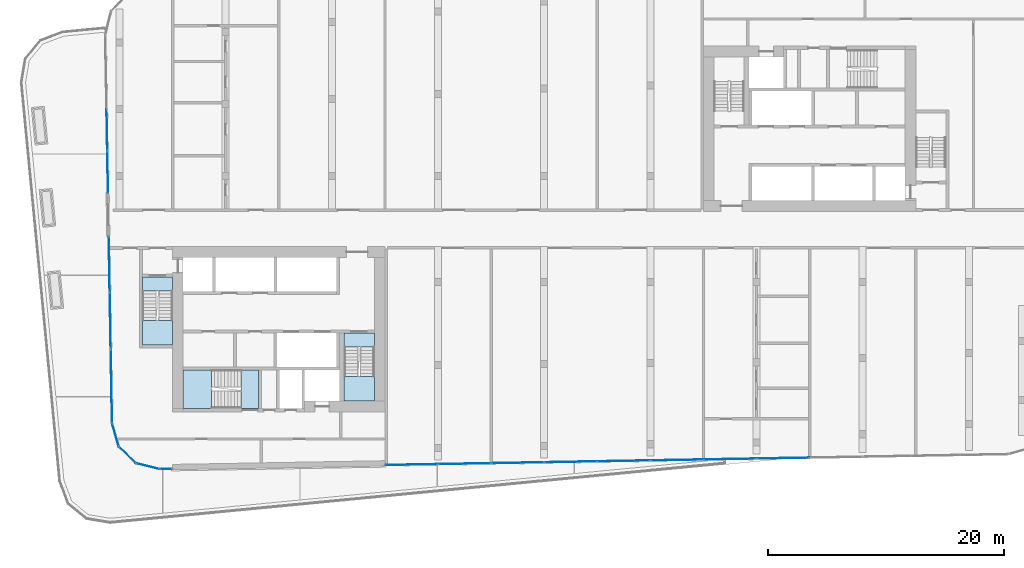
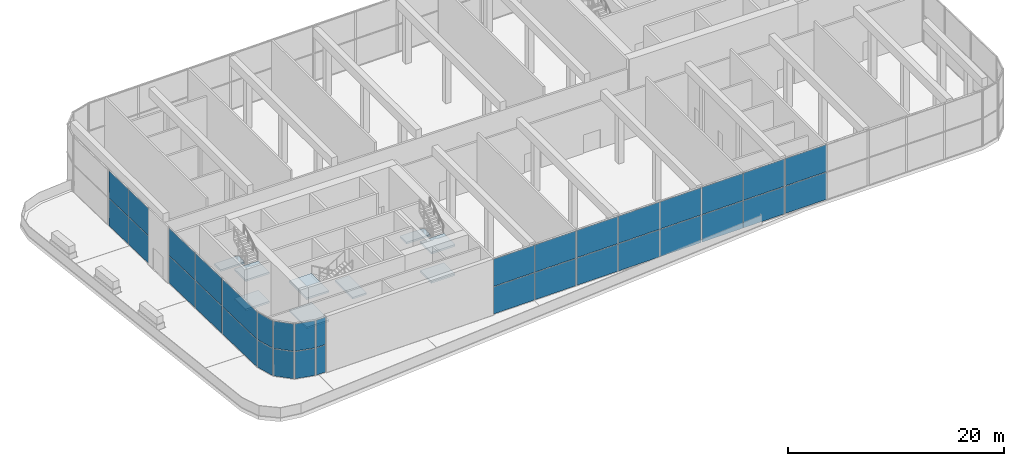
# One storey, part 9 of 24: 34 plates, 9 slabs, 14 elements without a shape of their own.
"""IFC4 building model written with IfcOpenShell, lengths in metres."""

from ifc_helpers import new_model, si_unit, direction, frame, origin, origin_2d, place, context, subcontext, project, spatial, polyline, rectangle, outline, extrude, material, layer, layer_set, type_object, element, aggregate, save


model = new_model("IFC4")

# Units and contexts
model_context = context("Model", 3, precision=1e-05, world=origin(), true_north=direction((0.0, 1.0)))
body_context = subcontext(model_context, "Body", "Model", "MODEL_VIEW")
ifc_project = project(units=[si_unit("LENGTHUNIT", "METRE"), si_unit("AREAUNIT", "SQUARE_METRE"), si_unit("VOLUMEUNIT", "CUBIC_METRE"), si_unit("PLANEANGLEUNIT", "RADIAN"), si_unit("MASSUNIT", "GRAM", prefix="KILO")], contexts=[model_context])

# Site, building, storey
site_placement = place(None, origin())
site = spatial("IfcSite", under=ifc_project, at=site_placement, CompositionType="ELEMENT")
building_placement = place(site_placement, origin())
building = spatial("IfcBuilding", under=site, at=building_placement, Name="Kajstack Hotel Tower", CompositionType="ELEMENT")
storey_placement = place(building_placement, frame((0.0, 0.0, 211.10009765625)))
storey = spatial("IfcBuildingStorey", under=building, at=storey_placement, Name="L51", CompositionType="ELEMENT", Elevation=211.10009765625)

# Curtain wall, plates
ifc_material_1 = material(Name="Aluminium-framed curtain wall, low-iron insulated glass", Category="aluminium")
curtain_wall_type = type_object("IfcCurtainWallType", Name="CW-GARDEN", PredefinedType="NOTDEFINED", material=ifc_material_1)
curtain_wall_1_placement = place(storey_placement, origin())
curtain_wall_1 = element("IfcCurtainWall", 1, at=curtain_wall_1_placement, inside=storey, type_object=curtain_wall_type, Name="Curtain wall CU6 L51-00-00-1", PredefinedType="NOTDEFINED")
ifc_material_2 = material(Name="Low-iron insulated glass", Category="glass")
ifc_layer_1 = layer(ifc_material_2, 0.0400390625)
ifc_layer_set_1 = layer_set([ifc_layer_1], Name="CW-P-GARDEN")
plate_type = type_object("IfcPlateType", Name="CW-P-GARDEN", PredefinedType="CURTAIN_PANEL", material=ifc_layer_set_1)
plate_1_placement = place(storey_placement, frame((-37.065185546875, 8.38623046875, 0.06005859375), z_axis=(0.0, 0.0, 1.0), x_axis=(0.017454611534, -0.999847656664, 0.0)))
plate_1 = element("IfcPlate", 2, at=plate_1_placement, type_object=plate_type, Name="CU6 panel 1.1", PredefinedType="CURTAIN_PANEL", context=body_context, shape_type="SweptSolid", body=[
    extrude(rectangle(XDim=3.5107421875, YDim=0.0400390625, at=origin_2d()), origin(), (0.0, 0.0, 1.0), 3.070068359375),
])
plate_2_placement = place(storey_placement, frame((-37.065185546875, 8.38623046875, 3.18994140625), z_axis=(0.0, 0.0, 1.0), x_axis=(0.017454611534, -0.999847656664, 0.0)))
plate_2 = element("IfcPlate", 3, at=plate_2_placement, type_object=plate_type, Name="CU6 panel 1.2", PredefinedType="CURTAIN_PANEL", context=body_context, shape_type="SweptSolid", body=[
    extrude(rectangle(XDim=3.5107421875, YDim=0.0400390625, at=origin_2d()), origin(), (0.0, 0.0, 1.0), 3.070068359375),
])
plate_3_placement = place(storey_placement, frame((-37.0029296875, 4.816162109375, 0.06005859375), z_axis=(0.0, 0.0, 1.0), x_axis=(0.017454611534, -0.999847656664, 0.0)))
plate_3 = element("IfcPlate", 4, at=plate_3_placement, type_object=plate_type, Name="CU6 panel 2.1", PredefinedType="CURTAIN_PANEL", context=body_context, shape_type="SweptSolid", body=[
    extrude(rectangle(XDim=3.5107421875, YDim=0.0400390625, at=origin_2d()), origin(), (0.0, 0.0, 1.0), 3.070068359375),
])
plate_4_placement = place(storey_placement, frame((-37.0029296875, 4.816162109375, 3.18994140625), z_axis=(0.0, 0.0, 1.0), x_axis=(0.017454611534, -0.999847656664, 0.0)))
plate_4 = element("IfcPlate", 5, at=plate_4_placement, type_object=plate_type, Name="CU6 panel 2.2", PredefinedType="CURTAIN_PANEL", context=body_context, shape_type="SweptSolid", body=[
    extrude(rectangle(XDim=3.5107421875, YDim=0.0400390625, at=origin_2d()), origin(), (0.0, 0.0, 1.0), 3.070068359375),
])
aggregate(curtain_wall_1, [plate_1, plate_2, plate_3, plate_4])

curtain_wall_2_placement = place(storey_placement, origin())
curtain_wall_2 = element("IfcCurtainWall", 6, at=curtain_wall_2_placement, inside=storey, type_object=curtain_wall_type, Name="Curtain wall CU6 L51-00-02-0", PredefinedType="NOTDEFINED")
plate_5_placement = place(storey_placement, frame((-36.8662109375, -3.013427734375, 0.06005859375), z_axis=(0.0, 0.0, 1.0), x_axis=(0.017454525677, -0.999847658163, 0.0)))
plate_5 = element("IfcPlate", 7, at=plate_5_placement, type_object=plate_type, Name="CU6 panel 1.1", PredefinedType="CURTAIN_PANEL", context=body_context, shape_type="SweptSolid", body=[
    extrude(rectangle(XDim=4.7109375, YDim=0.0400390625, at=origin_2d()), origin(), (0.0, 0.0, 1.0), 3.070068359375),
])
plate_6_placement = place(storey_placement, frame((-36.8662109375, -3.013427734375, 3.18994140625), z_axis=(0.0, 0.0, 1.0), x_axis=(0.017454525677, -0.999847658163, 0.0)))
plate_6 = element("IfcPlate", 8, at=plate_6_placement, type_object=plate_type, Name="CU6 panel 1.2", PredefinedType="CURTAIN_PANEL", context=body_context, shape_type="SweptSolid", body=[
    extrude(rectangle(XDim=4.7109375, YDim=0.0400390625, at=origin_2d()), origin(), (0.0, 0.0, 1.0), 3.070068359375),
])
plate_7_placement = place(storey_placement, frame((-36.782958984375, -7.78369140625, 0.06005859375), z_axis=(0.0, 0.0, 1.0), x_axis=(0.017454525677, -0.999847658163, 0.0)))
plate_7 = element("IfcPlate", 9, at=plate_7_placement, type_object=plate_type, Name="CU6 panel 2.1", PredefinedType="CURTAIN_PANEL", context=body_context, shape_type="SweptSolid", body=[
    extrude(rectangle(XDim=4.7109375, YDim=0.0400390625, at=origin_2d()), origin(), (0.0, 0.0, 1.0), 3.070068359375),
])
plate_8_placement = place(storey_placement, frame((-36.782958984375, -7.78369140625, 3.18994140625), z_axis=(0.0, 0.0, 1.0), x_axis=(0.017454525677, -0.999847658163, 0.0)))
plate_8 = element("IfcPlate", 10, at=plate_8_placement, type_object=plate_type, Name="CU6 panel 2.2", PredefinedType="CURTAIN_PANEL", context=body_context, shape_type="SweptSolid", body=[
    extrude(rectangle(XDim=4.7109375, YDim=0.0400390625, at=origin_2d()), origin(), (0.0, 0.0, 1.0), 3.070068359375),
])
aggregate(curtain_wall_2, [plate_5, plate_6, plate_7, plate_8])

curtain_wall_3_placement = place(storey_placement, origin())
curtain_wall_3 = element("IfcCurtainWall", 11, at=curtain_wall_3_placement, inside=storey, type_object=curtain_wall_type, Name="Curtain wall CU6 L51-00-02-1", PredefinedType="NOTDEFINED")
plate_9_placement = place(storey_placement, frame((-36.685791015625, -13.346435546875, 0.06005859375), z_axis=(0.0, 0.0, 1.0), x_axis=(0.017454603141, -0.99984765681, 0.0)))
plate_9 = element("IfcPlate", 12, at=plate_9_placement, type_object=plate_type, Name="CU6 panel 1.1", PredefinedType="CURTAIN_PANEL", context=body_context, shape_type="SweptSolid", body=[
    extrude(rectangle(XDim=6.176513671875, YDim=0.0400390625, at=origin_2d()), origin(), (0.0, 0.0, 1.0), 3.070068359375),
])
plate_10_placement = place(storey_placement, frame((-36.685791015625, -13.346435546875, 3.18994140625), z_axis=(0.0, 0.0, 1.0), x_axis=(0.017454603141, -0.99984765681, 0.0)))
plate_10 = element("IfcPlate", 13, at=plate_10_placement, type_object=plate_type, Name="CU6 panel 1.2", PredefinedType="CURTAIN_PANEL", context=body_context, shape_type="SweptSolid", body=[
    extrude(rectangle(XDim=6.176513671875, YDim=0.0400390625, at=origin_2d()), origin(), (0.0, 0.0, 1.0), 3.070068359375),
])
aggregate(curtain_wall_3, [plate_9, plate_10])

curtain_wall_4_placement = place(storey_placement, origin())
curtain_wall_4 = element("IfcCurtainWall", 14, at=curtain_wall_4_placement, inside=storey, type_object=curtain_wall_type, Name="Curtain wall CU6 L51-01-00-0", PredefinedType="NOTDEFINED")
plate_11_placement = place(storey_placement, frame((-36.348388671875, -17.469970703125, 0.06005859375), z_axis=(0.0, 0.0, 1.0), x_axis=(0.275633186987, -0.961262891321, 0.0)))
plate_11 = element("IfcPlate", 15, at=plate_11_placement, type_object=plate_type, Name="CU6 panel 1.1", PredefinedType="CURTAIN_PANEL", context=body_context, shape_type="SweptSolid", body=[
    extrude(rectangle(XDim=1.950439453125, YDim=0.0400390625, at=origin_2d()), origin(), (0.0, 0.0, 1.0), 3.070068359375),
])
plate_12_placement = place(storey_placement, frame((-36.348388671875, -17.469970703125, 3.18994140625), z_axis=(0.0, 0.0, 1.0), x_axis=(0.275633186987, -0.961262891321, 0.0)))
plate_12 = element("IfcPlate", 16, at=plate_12_placement, type_object=plate_type, Name="CU6 panel 1.2", PredefinedType="CURTAIN_PANEL", context=body_context, shape_type="SweptSolid", body=[
    extrude(rectangle(XDim=1.950439453125, YDim=0.0400390625, at=origin_2d()), origin(), (0.0, 0.0, 1.0), 3.070068359375),
])
aggregate(curtain_wall_4, [plate_11, plate_12])

curtain_wall_5_placement = place(storey_placement, origin())
curtain_wall_5 = element("IfcCurtainWall", 17, at=curtain_wall_5_placement, inside=storey, type_object=curtain_wall_type, Name="Curtain wall CU6 L51-02-00-0", PredefinedType="NOTDEFINED")
plate_13_placement = place(storey_placement, frame((-35.33837890625, -19.151123046875, 0.06005859375), z_axis=(0.0, 0.0, 1.0), x_axis=(0.719314909283, -0.694684144978, 0.0)))
plate_13 = element("IfcPlate", 18, at=plate_13_placement, type_object=plate_type, Name="CU6 panel 1.1", PredefinedType="CURTAIN_PANEL", context=body_context, shape_type="SweptSolid", body=[
    extrude(rectangle(XDim=1.95068359375, YDim=0.0400390625, at=origin_2d()), origin(), (0.0, 0.0, 1.0), 3.070068359375),
])
plate_14_placement = place(storey_placement, frame((-35.33837890625, -19.151123046875, 3.18994140625), z_axis=(0.0, 0.0, 1.0), x_axis=(0.719314909283, -0.694684144978, 0.0)))
plate_14 = element("IfcPlate", 19, at=plate_14_placement, type_object=plate_type, Name="CU6 panel 1.2", PredefinedType="CURTAIN_PANEL", context=body_context, shape_type="SweptSolid", body=[
    extrude(rectangle(XDim=1.95068359375, YDim=0.0400390625, at=origin_2d()), origin(), (0.0, 0.0, 1.0), 3.070068359375),
])
aggregate(curtain_wall_5, [plate_13, plate_14])

curtain_wall_6_placement = place(storey_placement, origin())
curtain_wall_6 = element("IfcCurtainWall", 20, at=curtain_wall_6_placement, inside=storey, type_object=curtain_wall_type, Name="Curtain wall CU6 L51-03-00-0", PredefinedType="NOTDEFINED")
plate_15_placement = place(storey_placement, frame((-33.623046875, -20.10205078125, 0.06005859375), z_axis=(0.0, 0.0, 1.0), x_axis=(0.970298547949, -0.241910578206, 0.0)))
plate_15 = element("IfcPlate", 21, at=plate_15_placement, type_object=plate_type, Name="CU6 panel 1.1", PredefinedType="CURTAIN_PANEL", context=body_context, shape_type="SweptSolid", body=[
    extrude(rectangle(XDim=1.95068359375, YDim=0.0400390625, at=origin_2d()), origin(), (0.0, 0.0, 1.0), 3.070068359375),
])
plate_16_placement = place(storey_placement, frame((-33.623046875, -20.10205078125, 3.18994140625), z_axis=(0.0, 0.0, 1.0), x_axis=(0.970298547949, -0.241910578206, 0.0)))
plate_16 = element("IfcPlate", 22, at=plate_16_placement, type_object=plate_type, Name="CU6 panel 1.2", PredefinedType="CURTAIN_PANEL", context=body_context, shape_type="SweptSolid", body=[
    extrude(rectangle(XDim=1.95068359375, YDim=0.0400390625, at=origin_2d()), origin(), (0.0, 0.0, 1.0), 3.070068359375),
])
aggregate(curtain_wall_6, [plate_15, plate_16])

curtain_wall_7_placement = place(storey_placement, origin())
curtain_wall_7 = element("IfcCurtainWall", 23, at=curtain_wall_7_placement, inside=storey, type_object=curtain_wall_type, Name="Curtain wall CU6 L51-04-00-0", PredefinedType="NOTDEFINED")
plate_17_placement = place(storey_placement, frame((-32.069580078125, -20.34033203125, 0.06005859375), z_axis=(0.0, 0.0, 1.0), x_axis=(0.999847689418, 0.01745273519, 0.0)))
plate_17 = element("IfcPlate", 24, at=plate_17_placement, type_object=plate_type, Name="CU6 panel 1.1", PredefinedType="CURTAIN_PANEL", context=body_context, shape_type="SweptSolid", body=[
    extrude(rectangle(XDim=1.016845703125, YDim=0.0400390625, at=origin_2d()), origin(), (0.0, 0.0, 1.0), 3.070068359375),
])
plate_18_placement = place(storey_placement, frame((-32.069580078125, -20.34033203125, 3.18994140625), z_axis=(0.0, 0.0, 1.0), x_axis=(0.999847689418, 0.01745273519, 0.0)))
plate_18 = element("IfcPlate", 25, at=plate_18_placement, type_object=plate_type, Name="CU6 panel 1.2", PredefinedType="CURTAIN_PANEL", context=body_context, shape_type="SweptSolid", body=[
    extrude(rectangle(XDim=1.016845703125, YDim=0.0400390625, at=origin_2d()), origin(), (0.0, 0.0, 1.0), 3.070068359375),
])
aggregate(curtain_wall_7, [plate_17, plate_18])

curtain_wall_8_placement = place(storey_placement, origin())
curtain_wall_8 = element("IfcCurtainWall", 26, at=curtain_wall_8_placement, inside=storey, type_object=curtain_wall_type, Name="Curtain wall CU6 L51-04-02-0", PredefinedType="NOTDEFINED")
plate_19_placement = place(storey_placement, frame((-11.236328125, -19.9765625, 0.06005859375), z_axis=(0.0, 0.0, 1.0), x_axis=(0.999847689381, 0.017452737319, 0.0)))
plate_19 = element("IfcPlate", 27, at=plate_19_placement, type_object=plate_type, Name="CU6 panel 1.1", PredefinedType="CURTAIN_PANEL", context=body_context, shape_type="SweptSolid", body=[
    extrude(rectangle(XDim=4.41064453125, YDim=0.0400390625, at=origin_2d()), origin(), (0.0, 0.0, 1.0), 3.070068359375),
])
plate_20_placement = place(storey_placement, frame((-11.236328125, -19.9765625, 3.18994140625), z_axis=(0.0, 0.0, 1.0), x_axis=(0.999847689381, 0.017452737319, 0.0)))
plate_20 = element("IfcPlate", 28, at=plate_20_placement, type_object=plate_type, Name="CU6 panel 1.2", PredefinedType="CURTAIN_PANEL", context=body_context, shape_type="SweptSolid", body=[
    extrude(rectangle(XDim=4.41064453125, YDim=0.0400390625, at=origin_2d()), origin(), (0.0, 0.0, 1.0), 3.070068359375),
])
plate_21_placement = place(storey_placement, frame((-6.766357421875, -19.898681640625, 0.06005859375), z_axis=(0.0, 0.0, 1.0), x_axis=(0.999847689381, 0.017452737319, 0.0)))
plate_21 = element("IfcPlate", 29, at=plate_21_placement, type_object=plate_type, Name="CU6 panel 2.1", PredefinedType="CURTAIN_PANEL", context=body_context, shape_type="SweptSolid", body=[
    extrude(rectangle(XDim=4.41064453125, YDim=0.0400390625, at=origin_2d()), origin(), (0.0, 0.0, 1.0), 3.070068359375),
])
plate_22_placement = place(storey_placement, frame((-6.766357421875, -19.898681640625, 3.18994140625), z_axis=(0.0, 0.0, 1.0), x_axis=(0.999847689381, 0.017452737319, 0.0)))
plate_22 = element("IfcPlate", 30, at=plate_22_placement, type_object=plate_type, Name="CU6 panel 2.2", PredefinedType="CURTAIN_PANEL", context=body_context, shape_type="SweptSolid", body=[
    extrude(rectangle(XDim=4.41064453125, YDim=0.0400390625, at=origin_2d()), origin(), (0.0, 0.0, 1.0), 3.070068359375),
])
aggregate(curtain_wall_8, [plate_19, plate_20, plate_21, plate_22])

curtain_wall_9_placement = place(storey_placement, origin())
curtain_wall_9 = element("IfcCurtainWall", 31, at=curtain_wall_9_placement, inside=storey, type_object=curtain_wall_type, Name="Curtain wall CU6 L51-04-02-1", PredefinedType="NOTDEFINED")
plate_23_placement = place(storey_placement, frame((-2.236328125, -19.819580078125, 0.06005859375), z_axis=(0.0, 0.0, 1.0), x_axis=(0.99984768776, 0.017452830174, 0.0)))
plate_23 = element("IfcPlate", 32, at=plate_23_placement, type_object=plate_type, Name="CU6 panel 1.1", PredefinedType="CURTAIN_PANEL", context=body_context, shape_type="SweptSolid", body=[
    extrude(rectangle(XDim=4.41064453125, YDim=0.0400390625, at=origin_2d()), origin(), (0.0, 0.0, 1.0), 3.070068359375),
])
plate_24_placement = place(storey_placement, frame((-2.236328125, -19.819580078125, 3.18994140625), z_axis=(0.0, 0.0, 1.0), x_axis=(0.99984768776, 0.017452830174, 0.0)))
plate_24 = element("IfcPlate", 33, at=plate_24_placement, type_object=plate_type, Name="CU6 panel 1.2", PredefinedType="CURTAIN_PANEL", context=body_context, shape_type="SweptSolid", body=[
    extrude(rectangle(XDim=4.41064453125, YDim=0.0400390625, at=origin_2d()), origin(), (0.0, 0.0, 1.0), 3.070068359375),
])
plate_25_placement = place(storey_placement, frame((2.248779296875, -19.7412109375, 0.06005859375), z_axis=(0.0, 0.0, 1.0), x_axis=(0.99984768776, 0.017452830174, 0.0)))
plate_25 = element("IfcPlate", 34, at=plate_25_placement, type_object=plate_type, Name="CU6 panel 2.1", PredefinedType="CURTAIN_PANEL", context=body_context, shape_type="SweptSolid", body=[
    extrude(rectangle(XDim=4.440673828125, YDim=0.0400390625, at=origin_2d()), origin(), (0.0, 0.0, 1.0), 3.070068359375),
])
plate_26_placement = place(storey_placement, frame((2.248779296875, -19.7412109375, 3.18994140625), z_axis=(0.0, 0.0, 1.0), x_axis=(0.99984768776, 0.017452830174, 0.0)))
plate_26 = element("IfcPlate", 35, at=plate_26_placement, type_object=plate_type, Name="CU6 panel 2.2", PredefinedType="CURTAIN_PANEL", context=body_context, shape_type="SweptSolid", body=[
    extrude(rectangle(XDim=4.440673828125, YDim=0.0400390625, at=origin_2d()), origin(), (0.0, 0.0, 1.0), 3.070068359375),
])
plate_27_placement = place(storey_placement, frame((6.733642578125, -19.662841796875, 0.06005859375), z_axis=(0.0, 0.0, 1.0), x_axis=(0.99984768776, 0.017452830174, 0.0)))
plate_27 = element("IfcPlate", 36, at=plate_27_placement, type_object=plate_type, Name="CU6 panel 3.1", PredefinedType="CURTAIN_PANEL", context=body_context, shape_type="SweptSolid", body=[
    extrude(rectangle(XDim=4.41064453125, YDim=0.0400390625, at=origin_2d()), origin(), (0.0, 0.0, 1.0), 3.070068359375),
])
plate_28_placement = place(storey_placement, frame((6.733642578125, -19.662841796875, 3.18994140625), z_axis=(0.0, 0.0, 1.0), x_axis=(0.99984768776, 0.017452830174, 0.0)))
plate_28 = element("IfcPlate", 37, at=plate_28_placement, type_object=plate_type, Name="CU6 panel 3.2", PredefinedType="CURTAIN_PANEL", context=body_context, shape_type="SweptSolid", body=[
    extrude(rectangle(XDim=4.41064453125, YDim=0.0400390625, at=origin_2d()), origin(), (0.0, 0.0, 1.0), 3.070068359375),
])
aggregate(curtain_wall_9, [plate_23, plate_24, plate_25, plate_26, plate_27, plate_28])

curtain_wall_10_placement = place(storey_placement, origin())
curtain_wall_10 = element("IfcCurtainWall", 38, at=curtain_wall_10_placement, inside=storey, type_object=curtain_wall_type, Name="Curtain wall CU6 L51-04-02-2", PredefinedType="NOTDEFINED")
plate_29_placement = place(storey_placement, frame((11.263671875, -19.583984375, 0.06005859375), z_axis=(0.0, 0.0, 1.0), x_axis=(0.999847689381, 0.017452737319, 0.0)))
plate_29 = element("IfcPlate", 39, at=plate_29_placement, type_object=plate_type, Name="CU6 panel 1.1", PredefinedType="CURTAIN_PANEL", context=body_context, shape_type="SweptSolid", body=[
    extrude(rectangle(XDim=4.41064453125, YDim=0.0400390625, at=origin_2d()), origin(), (0.0, 0.0, 1.0), 3.070068359375),
])
plate_30_placement = place(storey_placement, frame((11.263671875, -19.583984375, 3.18994140625), z_axis=(0.0, 0.0, 1.0), x_axis=(0.999847689381, 0.017452737319, 0.0)))
plate_30 = element("IfcPlate", 40, at=plate_30_placement, type_object=plate_type, Name="CU6 panel 1.2", PredefinedType="CURTAIN_PANEL", context=body_context, shape_type="SweptSolid", body=[
    extrude(rectangle(XDim=4.41064453125, YDim=0.0400390625, at=origin_2d()), origin(), (0.0, 0.0, 1.0), 3.070068359375),
])
plate_31_placement = place(storey_placement, frame((15.733642578125, -19.505859375, 0.06005859375), z_axis=(0.0, 0.0, 1.0), x_axis=(0.999847689381, 0.017452737319, 0.0)))
plate_31 = element("IfcPlate", 41, at=plate_31_placement, type_object=plate_type, Name="CU6 panel 2.1", PredefinedType="CURTAIN_PANEL", context=body_context, shape_type="SweptSolid", body=[
    extrude(rectangle(XDim=4.41064453125, YDim=0.0400390625, at=origin_2d()), origin(), (0.0, 0.0, 1.0), 3.070068359375),
])
plate_32_placement = place(storey_placement, frame((15.733642578125, -19.505859375, 3.18994140625), z_axis=(0.0, 0.0, 1.0), x_axis=(0.999847689381, 0.017452737319, 0.0)))
plate_32 = element("IfcPlate", 42, at=plate_32_placement, type_object=plate_type, Name="CU6 panel 2.2", PredefinedType="CURTAIN_PANEL", context=body_context, shape_type="SweptSolid", body=[
    extrude(rectangle(XDim=4.41064453125, YDim=0.0400390625, at=origin_2d()), origin(), (0.0, 0.0, 1.0), 3.070068359375),
])
aggregate(curtain_wall_10, [plate_29, plate_30, plate_31, plate_32])

curtain_wall_11_placement = place(storey_placement, origin())
curtain_wall_11 = element("IfcCurtainWall", 43, at=curtain_wall_11_placement, inside=storey, type_object=curtain_wall_type, Name="Curtain wall CU6 L51-04-02-3", PredefinedType="NOTDEFINED")
plate_33_placement = place(storey_placement, frame((20.263671875, -19.4267578125, 0.06005859375), z_axis=(0.0, 0.0, 1.0), x_axis=(0.999847689347, 0.017452739256, 0.0)))
plate_33 = element("IfcPlate", 44, at=plate_33_placement, type_object=plate_type, Name="CU6 panel 1.1", PredefinedType="CURTAIN_PANEL", context=body_context, shape_type="SweptSolid", body=[
    extrude(rectangle(XDim=4.41064453125, YDim=0.0400390625, at=origin_2d()), origin(), (0.0, 0.0, 1.0), 3.070068359375),
])
plate_34_placement = place(storey_placement, frame((20.263671875, -19.4267578125, 3.18994140625), z_axis=(0.0, 0.0, 1.0), x_axis=(0.999847689347, 0.017452739256, 0.0)))
plate_34 = element("IfcPlate", 45, at=plate_34_placement, type_object=plate_type, Name="CU6 panel 1.2", PredefinedType="CURTAIN_PANEL", context=body_context, shape_type="SweptSolid", body=[
    extrude(rectangle(XDim=4.41064453125, YDim=0.0400390625, at=origin_2d()), origin(), (0.0, 0.0, 1.0), 3.070068359375),
])
aggregate(curtain_wall_11, [plate_33, plate_34])

# Stair, slabs
ifc_material_3 = material(Name="Concrete C40/50", Category="concrete")
stair_type_1 = type_object("IfcStairType", Name="Exit stair 1200", PredefinedType="HALF_TURN_STAIR", material=ifc_material_3)
stair_1_placement = place(storey_placement, origin())
stair_1 = element("IfcStair", 46, at=stair_1_placement, inside=storey, type_object=stair_type_1, Name="L51 stair W1", PredefinedType="HALF_TURN_STAIR")
ifc_layer_2 = layer(ifc_material_3, 0.199951171875)
ifc_layer_set_2 = layer_set([ifc_layer_2], Name="Stair landing 200")
slab_type = type_object("IfcSlabType", Name="Stair landing 200", PredefinedType="LANDING", material=ifc_layer_set_2)
slab_1_placement = place(storey_placement, frame((0.0, 0.0, 1.449951171875)))
slab_1 = element("IfcSlab", 47, at=slab_1_placement, type_object=slab_type, Name="W1 landing 1", PredefinedType="LANDING", context=body_context, shape_type="SweptSolid", body=[
    extrude(outline(polyline([(-34.050048828125, -7.77001953125), (-34.050048828125, -9.85009765625), (-31.5, -9.85009765625), (-31.5, -7.77001953125), (-34.050048828125, -7.77001953125)])), origin(), (0.0, 0.0, 1.0), 0.199951171875),
])
slab_2_placement = place(storey_placement, frame((0.0, 0.0, 3.099853515625)))
slab_2 = element("IfcSlab", 48, at=slab_2_placement, type_object=slab_type, Name="W1 landing 2", PredefinedType="LANDING", context=body_context, shape_type="SweptSolid", body=[
    extrude(outline(polyline([(-34.050048828125, -4.050048828125), (-34.050048828125, -5.25), (-31.5, -5.25), (-31.5, -4.050048828125), (-34.050048828125, -4.050048828125)])), origin(), (0.0, 0.0, 1.0), 0.199951171875),
])
slab_3_placement = place(storey_placement, frame((0.0, 0.0, 4.75)))
slab_3 = element("IfcSlab", 49, at=slab_3_placement, type_object=slab_type, Name="W1 landing 3", PredefinedType="LANDING", context=body_context, shape_type="SweptSolid", body=[
    extrude(outline(polyline([(-34.050048828125, -7.77001953125), (-34.050048828125, -9.85009765625), (-31.5, -9.85009765625), (-31.5, -7.77001953125), (-34.050048828125, -7.77001953125)])), origin(), (0.0, 0.0, 1.0), 0.199951171875),
])
aggregate(stair_1, [slab_1, slab_2, slab_3])

stair_2_placement = place(storey_placement, origin())
stair_2 = element("IfcStair", 50, at=stair_2_placement, inside=storey, type_object=stair_type_1, Name="L51 stair W2", PredefinedType="HALF_TURN_STAIR")
slab_4_placement = place(storey_placement, frame((0.0, 0.0, 1.449951171875)))
slab_4 = element("IfcSlab", 51, at=slab_4_placement, type_object=slab_type, Name="W2 landing 1", PredefinedType="LANDING", context=body_context, shape_type="SweptSolid", body=[
    extrude(outline(polyline([(-16.949951171875, -12.52001953125), (-16.949951171875, -14.60009765625), (-14.39990234375, -14.60009765625), (-14.39990234375, -12.52001953125), (-16.949951171875, -12.52001953125)])), origin(), (0.0, 0.0, 1.0), 0.199951171875),
])
slab_5_placement = place(storey_placement, frame((0.0, 0.0, 3.099853515625)))
slab_5 = element("IfcSlab", 52, at=slab_5_placement, type_object=slab_type, Name="W2 landing 2", PredefinedType="LANDING", context=body_context, shape_type="SweptSolid", body=[
    extrude(outline(polyline([(-16.949951171875, -8.800048828125), (-16.949951171875, -10.0), (-14.39990234375, -10.0), (-14.39990234375, -8.800048828125), (-16.949951171875, -8.800048828125)])), origin(), (0.0, 0.0, 1.0), 0.199951171875),
])
slab_6_placement = place(storey_placement, frame((0.0, 0.0, 4.75)))
slab_6 = element("IfcSlab", 53, at=slab_6_placement, type_object=slab_type, Name="W2 landing 3", PredefinedType="LANDING", context=body_context, shape_type="SweptSolid", body=[
    extrude(outline(polyline([(-16.949951171875, -12.52001953125), (-16.949951171875, -14.60009765625), (-14.39990234375, -14.60009765625), (-14.39990234375, -12.52001953125), (-16.949951171875, -12.52001953125)])), origin(), (0.0, 0.0, 1.0), 0.199951171875),
])
aggregate(stair_2, [slab_4, slab_5, slab_6])

stair_type_2 = type_object("IfcStairType", Name="Exit stair 1500", PredefinedType="HALF_TURN_STAIR", material=ifc_material_3)
stair_3_placement = place(storey_placement, origin())
stair_3 = element("IfcStair", 54, at=stair_3_placement, inside=storey, type_object=stair_type_2, Name="L51 stair W3", PredefinedType="HALF_TURN_STAIR")
slab_7_placement = place(storey_placement, frame((0.0, 0.0, 1.449951171875)))
slab_7 = element("IfcSlab", 55, at=slab_7_placement, type_object=slab_type, Name="W3 landing 1", PredefinedType="LANDING", context=body_context, shape_type="SweptSolid", body=[
    extrude(outline(polyline([(-28.219970703125, -11.949951171875), (-30.60009765625, -11.949951171875), (-30.60009765625, -15.199951171875), (-28.219970703125, -15.199951171875), (-28.219970703125, -11.949951171875)])), origin(), (0.0, 0.0, 1.0), 0.199951171875),
])
slab_8_placement = place(storey_placement, frame((0.0, 0.0, 3.099853515625)))
slab_8 = element("IfcSlab", 56, at=slab_8_placement, type_object=slab_type, Name="W3 landing 2", PredefinedType="LANDING", context=body_context, shape_type="SweptSolid", body=[
    extrude(outline(polyline([(-24.199951171875, -11.949951171875), (-25.699951171875, -11.949951171875), (-25.699951171875, -15.199951171875), (-24.199951171875, -15.199951171875), (-24.199951171875, -11.949951171875)])), origin(), (0.0, 0.0, 1.0), 0.199951171875),
])
slab_9_placement = place(storey_placement, frame((0.0, 0.0, 4.75)))
slab_9 = element("IfcSlab", 57, at=slab_9_placement, type_object=slab_type, Name="W3 landing 3", PredefinedType="LANDING", context=body_context, shape_type="SweptSolid", body=[
    extrude(outline(polyline([(-28.219970703125, -11.949951171875), (-30.60009765625, -11.949951171875), (-30.60009765625, -15.199951171875), (-28.219970703125, -15.199951171875), (-28.219970703125, -11.949951171875)])), origin(), (0.0, 0.0, 1.0), 0.199951171875),
])
aggregate(stair_3, [slab_7, slab_8, slab_9])

save(model, "model.ifc")
